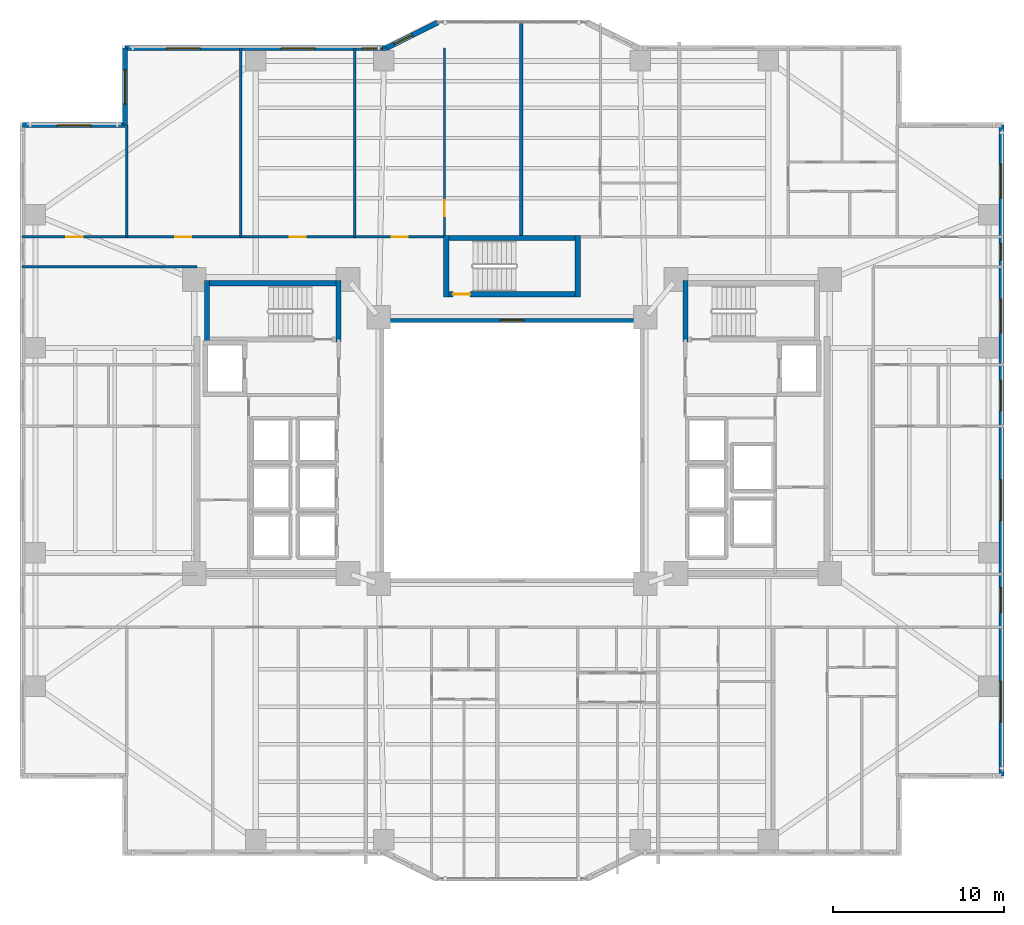
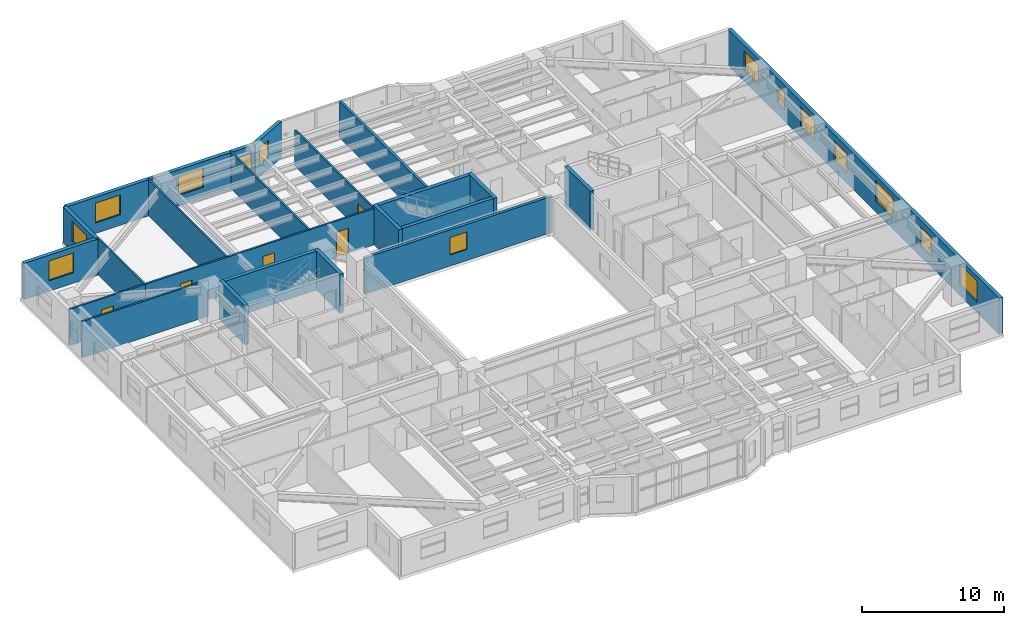
# One storey, part 14 of 21: 22 walls, 14 windows, 6 doors, 20 openings.
"""IFC4 building model written with IfcOpenShell, lengths in metres."""

from ifc_helpers import new_model, si_unit, direction, frame, frame_2d, origin, place, context, subcontext, project, spatial, rectangle, extrude, material, layer, layer_set, type_object, element, fill, save


model = new_model("IFC4")

# Units and contexts
model_context = context("Model", 3, precision=1e-05, world=origin(), true_north=direction((0.0, 1.0)))
body_context = subcontext(model_context, "Body", "Model", "MODEL_VIEW")
ifc_project = project(units=[si_unit("LENGTHUNIT", "METRE"), si_unit("AREAUNIT", "SQUARE_METRE"), si_unit("VOLUMEUNIT", "CUBIC_METRE"), si_unit("PLANEANGLEUNIT", "RADIAN"), si_unit("MASSUNIT", "GRAM", prefix="KILO")], contexts=[model_context])

# Site, building, storey
site_placement = place(None, origin())
site = spatial("IfcSite", under=ifc_project, at=site_placement, CompositionType="ELEMENT")
building_placement = place(site_placement, origin())
building = spatial("IfcBuilding", under=site, at=building_placement, Name="Tarnavaz Court Tower", CompositionType="ELEMENT")
storey_placement = place(building_placement, frame((0.0, 0.0, 44.10009765625)))
storey = spatial("IfcBuildingStorey", under=building, at=storey_placement, Name="L11", CompositionType="ELEMENT", Elevation=44.10009765625)

# Walls
ifc_material_1 = material(Name="Concrete C60/75", Category="concrete")
ifc_layer_1 = layer(ifc_material_1, 0.300048828125)
ifc_layer_set_1 = layer_set([ifc_layer_1], Name="Concrete C60/75")
wall_type_1 = type_object("IfcWallType", Name="WL-CORE-300-C60", PredefinedType="SHEAR", material=ifc_layer_set_1)
wall_1_placement = place(storey_placement, frame((-18.0, 9.7900390625, 0.0), z_axis=(0.0, 0.0, 1.0), x_axis=(1.0, 0.0, 0.0)))
element("IfcWall", 1, at=wall_1_placement, inside=storey, type_object=wall_type_1, Name="L11 West Stair Core Wall 001", PredefinedType="SHEAR", context=body_context, shape_type="SweptSolid", body=[
    extrude(rectangle(XDim=8.0, YDim=0.300048828125, at=frame_2d((4.0, 0.0))), origin(), (0.0, 0.0, 1.0), 3.349853515625),
])
for number, where, z_axis, x_axis, name in (
    (2, (-17.85009765625, 6.35009765625, 0.0), (0.0, 0.0, 1.0), (0.0, 1.0, 0.0), "L11 West Stair Core Wall 003"),
    (3, (-10.14990234375, 6.35009765625, 0.0), (0.0, 0.0, 1.0), (0.0, 1.0, 0.0), "L11 West Stair Core Wall 004"),
    (4, (10.14990234375, 6.35009765625, 0.0), (0.0, 0.0, 1.0), (0.0, 1.0, 0.0), "L11 East Stair Core Wall 007"),
):
    element("IfcWall", number, at=place(storey_placement, frame(where, z_axis=z_axis, x_axis=x_axis)), inside=storey, type_object=wall_type_1, Name=name, PredefinedType="SHEAR", context=body_context, shape_type="SweptSolid", body=[
        extrude(rectangle(XDim=3.58984375, YDim=0.300048828125, at=frame_2d((1.794921875, 0.0))), origin(), (0.0, 0.0, 1.0), 3.349853515625),
    ])
wall_2_placement = place(storey_placement, frame((-4.0, 12.43994140625, 0.0), z_axis=(0.0, 0.0, 1.0), x_axis=(1.0, 0.0, 0.0)))
element("IfcWall", 5, at=wall_2_placement, inside=storey, type_object=wall_type_1, Name="L11 North Stair Core Wall 009", PredefinedType="SHEAR", context=body_context, shape_type="SweptSolid", body=[
    extrude(rectangle(XDim=8.0, YDim=0.300048828125, at=frame_2d((4.0, 0.0))), origin(), (0.0, 0.0, 1.0), 3.349853515625),
])

# Wall, opening, door
wall_3_placement = place(storey_placement, frame((-4.0, 9.14990234375, 0.0), z_axis=(0.0, 0.0, 1.0), x_axis=(1.0, 0.0, 0.0)))
wall_3 = element("IfcWall", 6, at=wall_3_placement, inside=storey, type_object=wall_type_1, Name="L11 North Stair Core Wall 010", PredefinedType="SHEAR", context=body_context, shape_type="SweptSolid", body=[
    extrude(rectangle(XDim=8.0, YDim=0.300048828125, at=frame_2d((4.0, 0.0))), origin(), (0.0, 0.0, 1.0), 3.349853515625),
])
opening_1_placement = place(wall_3_placement, frame((0.550048828125, 0.0, 0.0)))
opening_1 = element("IfcOpeningElement", 7, at=opening_1_placement, cuts=wall_3, Name="Opening D01", PredefinedType="OPENING", context=body_context, shape_type="SweptSolid", body=[
    extrude(rectangle(XDim=1.0, YDim=2.14990234375, at=frame_2d((0.5, 1.074951171875))), frame((0.0, 0.159912109375, 0.0), z_axis=(0.0, -1.0, 0.0), x_axis=(1.0, 0.0, 0.0)), (0.0, 0.0, 1.0), 0.320068359375),
])
ifc_material_2 = material(Name="Fire-Rated Hardwood Timber Core", Category="wood")
door_type_1 = type_object("IfcDoorType", Name="DR-FD90-1000", OperationType="NOTDEFINED", PredefinedType="DOOR", material=ifc_material_2)
door_1_placement = place(opening_1_placement, origin())
door_1 = element("IfcDoor", 8, at=door_1_placement, inside=storey, type_object=door_type_1, Name="L11 Stair ST-N1 Exit Door", OperationType="SINGLE_SWING_LEFT", OverallHeight=2.14990234375, OverallWidth=1.0, PredefinedType="DOOR", context=body_context, shape_type="SweptSolid", body=[
    extrude(rectangle(XDim=1.0, YDim=2.14990234375, at=frame_2d((0.5, 1.074951171875))), frame((0.0, 0.02490234375, 0.0), z_axis=(0.0, -1.0, 0.0), x_axis=(1.0, 0.0, 0.0)), (0.0, 0.0, 1.0), 0.050048828125),
])
fill(opening_1, door_1)

# Walls
for number, where, z_axis, x_axis, name in (
    (9, (-3.85009765625, 9.0, 0.0), (0.0, 0.0, 1.0), (0.0, 1.0, 0.0), "L11 North Stair Core Wall 011"),
    (10, (3.85009765625, 9.0, 0.0), (0.0, 0.0, 1.0), (0.0, 1.0, 0.0), "L11 North Stair Core Wall 012"),
):
    element("IfcWall", number, at=place(storey_placement, frame(where, z_axis=z_axis, x_axis=x_axis)), inside=storey, type_object=wall_type_1, Name=name, PredefinedType="SHEAR", context=body_context, shape_type="SweptSolid", body=[
        extrude(rectangle(XDim=3.590087890625, YDim=0.300048828125, at=frame_2d((1.794921875, 0.0))), origin(), (0.0, 0.0, 1.0), 3.349853515625),
    ])

# Wall, opening, window
ifc_material_3 = material(Name="Precast Concrete C40/50", Category="concrete")
ifc_layer_2 = layer(ifc_material_3, 0.300048828125)
ifc_layer_set_2 = layer_set([ifc_layer_2], Name="Precast Concrete C40/50")
wall_type_2 = type_object("IfcWallType", Name="WL-EXT-300", PredefinedType="SOLIDWALL", material=ifc_layer_set_2)
wall_4_placement = place(storey_placement, frame((-28.64990234375, 19.050048828125, 0.0), z_axis=(0.0, 0.0, 1.0), x_axis=(1.0, 0.0, 0.0)))
wall_4 = element("IfcWall", 11, at=wall_4_placement, inside=storey, type_object=wall_type_2, Name="L11 Exterior Terracotta Facade Wall 03", PredefinedType="SOLIDWALL", context=body_context, shape_type="SweptSolid", body=[
    extrude(rectangle(XDim=6.0, YDim=0.300048828125, at=frame_2d((3.0, 0.0))), origin(), (0.0, 0.0, 1.0), 3.099853515625),
])
opening_2_placement = place(wall_4_placement, frame((2.02490234375, 0.0, 0.89990234375)))
opening_2 = element("IfcOpeningElement", 12, at=opening_2_placement, cuts=wall_4, Name="Opening W08", PredefinedType="OPENING", context=body_context, shape_type="SweptSolid", body=[
    extrude(rectangle(XDim=2.0, YDim=1.699951171875, at=frame_2d((1.0, 0.85009765625))), frame((0.0, 0.159912109375, 0.0), z_axis=(0.0, -1.0, 0.0), x_axis=(1.0, 0.0, 0.0)), (0.0, 0.0, 1.0), 0.320068359375),
])
ifc_material_4 = material(Name="Double-Glazed Solar Low-E Glass", Category="glass")
window_type_1 = type_object("IfcWindowType", Name="WN-APT-2000", PartitioningType="DOUBLE_PANEL_VERTICAL", PredefinedType="WINDOW", material=ifc_material_4)
window_1_placement = place(opening_2_placement, origin())
window_1 = element("IfcWindow", 13, at=window_1_placement, inside=storey, type_object=window_type_1, Name="L11 North-West Corner Sunroom Study Window", OverallHeight=1.699951171875, OverallWidth=2.0, PartitioningType="SINGLE_PANEL", PredefinedType="WINDOW", context=body_context, shape_type="SweptSolid", body=[
    extrude(rectangle(XDim=2.0, YDim=1.699951171875, at=frame_2d((1.0, 0.85009765625))), frame((0.0, 0.030029296875, 0.0), z_axis=(0.0, -1.0, 0.0), x_axis=(1.0, 0.0, 0.0)), (0.0, 0.0, 1.0), 0.06005859375),
])
fill(opening_2, window_1)

wall_5_placement = place(storey_placement, frame((-22.64990234375, 19.050048828125, 0.0), z_axis=(0.0, 0.0, 1.0), x_axis=(0.0, 1.0, 0.0)))
wall_5 = element("IfcWall", 14, at=wall_5_placement, inside=storey, type_object=wall_type_2, Name="L11 Exterior Terracotta Facade Wall 04", PredefinedType="SOLIDWALL", context=body_context, shape_type="SweptSolid", body=[
    extrude(rectangle(XDim=4.5, YDim=0.300048828125, at=frame_2d((2.25, 0.0))), origin(), (0.0, 0.0, 1.0), 3.099853515625),
])
opening_3_placement = place(wall_5_placement, frame((1.232421875, 0.0, 0.89990234375)))
opening_3 = element("IfcOpeningElement", 15, at=opening_3_placement, cuts=wall_5, Name="Opening W08", PredefinedType="OPENING", context=body_context, shape_type="SweptSolid", body=[
    extrude(rectangle(XDim=2.0, YDim=1.699951171875, at=frame_2d((1.0, 0.85009765625))), frame((0.0, 0.159912109375, 0.0), z_axis=(0.0, -1.0, 0.0), x_axis=(1.0, 0.0, 0.0)), (0.0, 0.0, 1.0), 0.320068359375),
])
window_2_placement = place(opening_3_placement, origin())
window_2 = element("IfcWindow", 16, at=window_2_placement, inside=storey, type_object=window_type_1, Name="L11 Resident Fitness and Yoga Studio Window", OverallHeight=1.699951171875, OverallWidth=2.0, PartitioningType="SINGLE_PANEL", PredefinedType="WINDOW", context=body_context, shape_type="SweptSolid", body=[
    extrude(rectangle(XDim=2.0, YDim=1.699951171875, at=frame_2d((1.0, 0.85009765625))), frame((0.0, 0.030029296875, 0.0), z_axis=(0.0, -1.0, 0.0), x_axis=(1.0, 0.0, 0.0)), (0.0, 0.0, 1.0), 0.06005859375),
])
fill(opening_3, window_2)

# Wall, openings, windows
wall_6_placement = place(storey_placement, frame((-22.64990234375, 23.550048828125, 0.0), z_axis=(0.0, 0.0, 1.0), x_axis=(1.0, 0.0, 0.0)))
wall_6 = element("IfcWall", 17, at=wall_6_placement, inside=storey, type_object=wall_type_2, Name="L11 Exterior Terracotta Facade Wall 05", PredefinedType="SOLIDWALL", context=body_context, shape_type="SweptSolid", body=[
    extrude(rectangle(XDim=15.2998046875, YDim=0.300048828125, at=frame_2d((7.64990234375, 0.0))), origin(), (0.0, 0.0, 1.0), 3.099853515625),
])
opening_4_placement = place(wall_6_placement, frame((2.4111328125, 0.0, 0.89990234375)))
opening_4 = element("IfcOpeningElement", 18, at=opening_4_placement, cuts=wall_6, Name="Opening W08", PredefinedType="OPENING", context=body_context, shape_type="SweptSolid", body=[
    extrude(rectangle(XDim=2.0, YDim=1.699951171875, at=frame_2d((1.0, 0.85009765625))), frame((0.0, 0.159912109375, 0.0), z_axis=(0.0, -1.0, 0.0), x_axis=(1.0, 0.0, 0.0)), (0.0, 0.0, 1.0), 0.320068359375),
])
opening_5_placement = place(wall_6_placement, frame((9.133056640625, 0.0, 0.89990234375)))
opening_5 = element("IfcOpeningElement", 19, at=opening_5_placement, cuts=wall_6, Name="Opening W08", PredefinedType="OPENING", context=body_context, shape_type="SweptSolid", body=[
    extrude(rectangle(XDim=2.0, YDim=1.699951171875, at=frame_2d((1.0, 0.85009765625))), frame((0.0, 0.159912109375, 0.0), z_axis=(0.0, -1.0, 0.0), x_axis=(1.0, 0.0, 0.0)), (0.0, 0.0, 1.0), 0.320068359375),
])
opening_6_placement = place(wall_6_placement, frame((13.862060546875, 0.0, 0.949951171875)))
opening_6 = element("IfcOpeningElement", 20, at=opening_6_placement, cuts=wall_6, Name="Opening W05", PredefinedType="OPENING", context=body_context, shape_type="SweptSolid", body=[
    extrude(rectangle(XDim=1.199951171875, YDim=1.5, at=frame_2d((0.60009765625, 0.75))), frame((0.0, 0.159912109375, 0.0), z_axis=(0.0, -1.0, 0.0), x_axis=(1.0, 0.0, 0.0)), (0.0, 0.0, 1.0), 0.320068359375),
])
window_type_2 = type_object("IfcWindowType", Name="WN-APT-1200", PartitioningType="SINGLE_PANEL", PredefinedType="WINDOW", material=ifc_material_4)
window_3_placement = place(opening_6_placement, origin())
window_3 = element("IfcWindow", 21, at=window_3_placement, inside=storey, type_object=window_type_2, Name="L11 Shared Community Tea Pantry Window", OverallHeight=1.5, OverallWidth=1.199951171875, PartitioningType="SINGLE_PANEL", PredefinedType="WINDOW", context=body_context, shape_type="SweptSolid", body=[
    extrude(rectangle(XDim=1.199951171875, YDim=1.5, at=frame_2d((0.60009765625, 0.75))), frame((0.0, 0.030029296875, 0.0), z_axis=(0.0, -1.0, 0.0), x_axis=(1.0, 0.0, 0.0)), (0.0, 0.0, 1.0), 0.06005859375),
])
fill(opening_6, window_3)
window_4_placement = place(opening_4_placement, origin())
window_4 = element("IfcWindow", 22, at=window_4_placement, inside=storey, type_object=window_type_1, Name="L11 Resident Fitness and Yoga Studio Window", OverallHeight=1.699951171875, OverallWidth=2.0, PartitioningType="SINGLE_PANEL", PredefinedType="WINDOW", context=body_context, shape_type="SweptSolid", body=[
    extrude(rectangle(XDim=2.0, YDim=1.699951171875, at=frame_2d((1.0, 0.85009765625))), frame((0.0, 0.030029296875, 0.0), z_axis=(0.0, -1.0, 0.0), x_axis=(1.0, 0.0, 0.0)), (0.0, 0.0, 1.0), 0.06005859375),
])
fill(opening_4, window_4)
window_5_placement = place(opening_5_placement, origin())
window_5 = element("IfcWindow", 23, at=window_5_placement, inside=storey, type_object=window_type_1, Name="L11 Children Playroom and Daycare Window", OverallHeight=1.699951171875, OverallWidth=2.0, PartitioningType="SINGLE_PANEL", PredefinedType="WINDOW", context=body_context, shape_type="SweptSolid", body=[
    extrude(rectangle(XDim=2.0, YDim=1.699951171875, at=frame_2d((1.0, 0.85009765625))), frame((0.0, 0.030029296875, 0.0), z_axis=(0.0, -1.0, 0.0), x_axis=(1.0, 0.0, 0.0)), (0.0, 0.0, 1.0), 0.06005859375),
])
fill(opening_5, window_5)

# Wall, opening, window
wall_7_placement = place(storey_placement, frame((-7.35009765625, 23.550048828125, 0.0), z_axis=(0.0, 0.0, 1.0), x_axis=(0.894427191, 0.4472135955, 0.0)))
wall_7 = element("IfcWall", 24, at=wall_7_placement, inside=storey, type_object=wall_type_2, Name="L11 Exterior Terracotta Facade Wall 06", PredefinedType="SOLIDWALL", context=body_context, shape_type="SweptSolid", body=[
    extrude(rectangle(XDim=3.35400390625, YDim=0.300048828125, at=frame_2d((1.677001953125, 0.0))), origin(), (0.0, 0.0, 1.0), 3.099853515625),
])
opening_7_placement = place(wall_7_placement, frame((0.501220703125, 0.0, 0.949951171875)))
opening_7 = element("IfcOpeningElement", 25, at=opening_7_placement, cuts=wall_7, Name="Opening W05", PredefinedType="OPENING", context=body_context, shape_type="SweptSolid", body=[
    extrude(rectangle(XDim=1.199951171875, YDim=1.5, at=frame_2d((0.60009765625, 0.75))), frame((0.0, 0.159912109375, 0.0), z_axis=(0.0, -1.0, 0.0), x_axis=(1.0, 0.0, 0.0)), (0.0, 0.0, 1.0), 0.320068359375),
])
window_6_placement = place(opening_7_placement, origin())
window_6 = element("IfcWindow", 26, at=window_6_placement, inside=storey, type_object=window_type_2, Name="L11 Shared Community Tea Pantry Window", OverallHeight=1.5, OverallWidth=1.199951171875, PartitioningType="SINGLE_PANEL", PredefinedType="WINDOW", context=body_context, shape_type="SweptSolid", body=[
    extrude(rectangle(XDim=1.199951171875, YDim=1.5, at=frame_2d((0.60009765625, 0.75))), frame((0.0, 0.030029296875, 0.0), z_axis=(0.0, -1.0, 0.0), x_axis=(1.0, 0.0, 0.0)), (0.0, 0.0, 1.0), 0.06005859375),
])
fill(opening_7, window_6)

# Wall, openings, windows
wall_8_placement = place(storey_placement, frame((28.64990234375, 19.050048828125, 0.0), z_axis=(0.0, 0.0, 1.0), x_axis=(0.0, -1.0, 0.0)))
wall_8 = element("IfcWall", 27, at=wall_8_placement, inside=storey, type_object=wall_type_2, Name="L11 Exterior Terracotta Facade Wall 12", PredefinedType="SOLIDWALL", context=body_context, shape_type="SweptSolid", body=[
    extrude(rectangle(XDim=38.10009765625, YDim=0.300048828125, at=frame_2d((19.050048828125, 0.0))), origin(), (0.0, 0.0, 1.0), 3.099853515625),
])
opening_8_placement = place(wall_8_placement, frame((2.27490234375, 0.0, 0.89990234375)))
opening_8 = element("IfcOpeningElement", 28, at=opening_8_placement, cuts=wall_8, Name="Opening W08", PredefinedType="OPENING", context=body_context, shape_type="SweptSolid", body=[
    extrude(rectangle(XDim=2.0, YDim=1.699951171875, at=frame_2d((1.0, 0.85009765625))), frame((0.0, 0.159912109375, 0.0), z_axis=(0.0, -1.0, 0.0), x_axis=(1.0, 0.0, 0.0)), (0.0, 0.0, 1.0), 0.320068359375),
])
opening_9_placement = place(wall_8_placement, frame((6.925048828125, 0.0, 0.949951171875)))
opening_9 = element("IfcOpeningElement", 29, at=opening_9_placement, cuts=wall_8, Name="Opening W14", PredefinedType="OPENING", context=body_context, shape_type="SweptSolid", body=[
    extrude(rectangle(XDim=1.0, YDim=1.5, at=frame_2d((0.5, 0.75))), frame((0.0, 0.159912109375, 0.0), z_axis=(0.0, -1.0, 0.0), x_axis=(1.0, 0.0, 0.0)), (0.0, 0.0, 1.0), 0.320068359375),
])
opening_10_placement = place(wall_8_placement, frame((10.175048828125, 0.0, 0.89990234375)))
opening_10 = element("IfcOpeningElement", 30, at=opening_10_placement, cuts=wall_8, Name="Opening W08", PredefinedType="OPENING", context=body_context, shape_type="SweptSolid", body=[
    extrude(rectangle(XDim=2.0, YDim=1.699951171875, at=frame_2d((1.0, 0.85009765625))), frame((0.0, 0.159912109375, 0.0), z_axis=(0.0, -1.0, 0.0), x_axis=(1.0, 0.0, 0.0)), (0.0, 0.0, 1.0), 0.320068359375),
])
opening_11_placement = place(wall_8_placement, frame((14.925048828125, 0.0, 0.89990234375)))
opening_11 = element("IfcOpeningElement", 31, at=opening_11_placement, cuts=wall_8, Name="Opening W01", PredefinedType="OPENING", context=body_context, shape_type="SweptSolid", body=[
    extrude(rectangle(XDim=1.800048828125, YDim=1.64990234375, at=frame_2d((0.89990234375, 0.824951171875))), frame((0.0, 0.159912109375, 0.0), z_axis=(0.0, -1.0, 0.0), x_axis=(1.0, 0.0, 0.0)), (0.0, 0.0, 1.0), 0.320068359375),
])
opening_12_placement = place(wall_8_placement, frame((20.75, 0.0, 0.89990234375)))
opening_12 = element("IfcOpeningElement", 32, at=opening_12_placement, cuts=wall_8, Name="Opening W06", PredefinedType="OPENING", context=body_context, shape_type="SweptSolid", body=[
    extrude(rectangle(XDim=2.39990234375, YDim=1.800048828125, at=frame_2d((1.199951171875, 0.89990234375))), frame((0.0, 0.159912109375, 0.0), z_axis=(0.0, -1.0, 0.0), x_axis=(1.0, 0.0, 0.0)), (0.0, 0.0, 1.0), 0.320068359375),
])
opening_13_placement = place(wall_8_placement, frame((27.0576171875, 0.0, 0.89990234375)))
opening_13 = element("IfcOpeningElement", 33, at=opening_13_placement, cuts=wall_8, Name="Opening W03", PredefinedType="OPENING", context=body_context, shape_type="SweptSolid", body=[
    extrude(rectangle(XDim=1.5, YDim=1.64990234375, at=frame_2d((0.75, 0.824951171875))), frame((0.0, 0.159912109375, 0.0), z_axis=(0.0, -1.0, 0.0), x_axis=(1.0, 0.0, 0.0)), (0.0, 0.0, 1.0), 0.320068359375),
])
opening_14_placement = place(wall_8_placement, frame((32.550048828125, 0.0, 0.89990234375)))
opening_14 = element("IfcOpeningElement", 34, at=opening_14_placement, cuts=wall_8, Name="Opening W06", PredefinedType="OPENING", context=body_context, shape_type="SweptSolid", body=[
    extrude(rectangle(XDim=2.39990234375, YDim=1.800048828125, at=frame_2d((1.199951171875, 0.89990234375))), frame((0.0, 0.159912109375, 0.0), z_axis=(0.0, -1.0, 0.0), x_axis=(1.0, 0.0, 0.0)), (0.0, 0.0, 1.0), 0.320068359375),
])
window_type_3 = type_object("IfcWindowType", Name="WN-APT-1000", PartitioningType="SINGLE_PANEL", PredefinedType="WINDOW", material=ifc_material_4)
window_7_placement = place(opening_9_placement, origin())
window_7 = element("IfcWindow", 35, at=window_7_placement, inside=storey, type_object=window_type_3, Name="L11 North-East Corner Corridor Window", OverallHeight=1.5, OverallWidth=1.0, PartitioningType="SINGLE_PANEL", PredefinedType="WINDOW", context=body_context, shape_type="SweptSolid", body=[
    extrude(rectangle(XDim=1.0, YDim=1.5, at=frame_2d((0.5, 0.75))), frame((0.0, 0.030029296875, 0.0), z_axis=(0.0, -1.0, 0.0), x_axis=(1.0, 0.0, 0.0)), (0.0, 0.0, 1.0), 0.06005859375),
])
fill(opening_9, window_7)
window_type_4 = type_object("IfcWindowType", Name="WN-APT-1500", PartitioningType="DOUBLE_PANEL_VERTICAL", PredefinedType="WINDOW", material=ifc_material_4)
window_8_placement = place(opening_13_placement, origin())
window_8 = element("IfcWindow", 36, at=window_8_placement, inside=storey, type_object=window_type_4, Name="L11 South-East Corner Corridor Window", OverallHeight=1.64990234375, OverallWidth=1.5, PartitioningType="SINGLE_PANEL", PredefinedType="WINDOW", context=body_context, shape_type="SweptSolid", body=[
    extrude(rectangle(XDim=1.5, YDim=1.64990234375, at=frame_2d((0.75, 0.824951171875))), frame((0.0, 0.030029296875, 0.0), z_axis=(0.0, -1.0, 0.0), x_axis=(1.0, 0.0, 0.0)), (0.0, 0.0, 1.0), 0.06005859375),
])
fill(opening_13, window_8)
window_type_5 = type_object("IfcWindowType", Name="WN-APT-1800", PartitioningType="DOUBLE_PANEL_VERTICAL", PredefinedType="WINDOW", material=ifc_material_4)
window_9_placement = place(opening_11_placement, origin())
window_9 = element("IfcWindow", 37, at=window_9_placement, inside=storey, type_object=window_type_5, Name="L11 Flat 08 Bathroom Window", OverallHeight=1.64990234375, OverallWidth=1.800048828125, PartitioningType="SINGLE_PANEL", PredefinedType="WINDOW", context=body_context, shape_type="SweptSolid", body=[
    extrude(rectangle(XDim=1.800048828125, YDim=1.64990234375, at=frame_2d((0.89990234375, 0.824951171875))), frame((0.0, 0.030029296875, 0.0), z_axis=(0.0, -1.0, 0.0), x_axis=(1.0, 0.0, 0.0)), (0.0, 0.0, 1.0), 0.06005859375),
])
fill(opening_11, window_9)
window_10_placement = place(opening_8_placement, origin())
window_10 = element("IfcWindow", 38, at=window_10_placement, inside=storey, type_object=window_type_1, Name="L11 North-East Corner Sunroom Study Window", OverallHeight=1.699951171875, OverallWidth=2.0, PartitioningType="SINGLE_PANEL", PredefinedType="WINDOW", context=body_context, shape_type="SweptSolid", body=[
    extrude(rectangle(XDim=2.0, YDim=1.699951171875, at=frame_2d((1.0, 0.85009765625))), frame((0.0, 0.030029296875, 0.0), z_axis=(0.0, -1.0, 0.0), x_axis=(1.0, 0.0, 0.0)), (0.0, 0.0, 1.0), 0.06005859375),
])
fill(opening_8, window_10)
window_11_placement = place(opening_10_placement, origin())
window_11 = element("IfcWindow", 39, at=window_11_placement, inside=storey, type_object=window_type_1, Name="L11 Flat 08 Study Room Window", OverallHeight=1.699951171875, OverallWidth=2.0, PartitioningType="SINGLE_PANEL", PredefinedType="WINDOW", context=body_context, shape_type="SweptSolid", body=[
    extrude(rectangle(XDim=2.0, YDim=1.699951171875, at=frame_2d((1.0, 0.85009765625))), frame((0.0, 0.030029296875, 0.0), z_axis=(0.0, -1.0, 0.0), x_axis=(1.0, 0.0, 0.0)), (0.0, 0.0, 1.0), 0.06005859375),
])
fill(opening_10, window_11)
window_type_6 = type_object("IfcWindowType", Name="WN-APT-2400", PartitioningType="TRIPLE_PANEL_VERTICAL", PredefinedType="WINDOW", material=ifc_material_4)
window_12_placement = place(opening_12_placement, origin())
window_12 = element("IfcWindow", 40, at=window_12_placement, inside=storey, type_object=window_type_6, Name="L11 Flat 08 Studio Living and Sleeping Room Window", OverallHeight=1.800048828125, OverallWidth=2.39990234375, PartitioningType="SINGLE_PANEL", PredefinedType="WINDOW", context=body_context, shape_type="SweptSolid", body=[
    extrude(rectangle(XDim=2.39990234375, YDim=1.800048828125, at=frame_2d((1.199951171875, 0.89990234375))), frame((0.0, 0.030029296875, 0.0), z_axis=(0.0, -1.0, 0.0), x_axis=(1.0, 0.0, 0.0)), (0.0, 0.0, 1.0), 0.06005859375),
])
fill(opening_12, window_12)
window_13_placement = place(opening_14_placement, origin())
window_13 = element("IfcWindow", 41, at=window_13_placement, inside=storey, type_object=window_type_6, Name="L11 South-East Corner Reading Room Window", OverallHeight=1.800048828125, OverallWidth=2.39990234375, PartitioningType="SINGLE_PANEL", PredefinedType="WINDOW", context=body_context, shape_type="SweptSolid", body=[
    extrude(rectangle(XDim=2.39990234375, YDim=1.800048828125, at=frame_2d((1.199951171875, 0.89990234375))), frame((0.0, 0.030029296875, 0.0), z_axis=(0.0, -1.0, 0.0), x_axis=(1.0, 0.0, 0.0)), (0.0, 0.0, 1.0), 0.06005859375),
])
fill(opening_14, window_13)

# Wall, openings, doors
ifc_material_5 = material(Name="Gypsum Fire-Board on Acoustic Metal Stud", Category="masonry")
ifc_layer_3 = layer(ifc_material_5, 0.14990234375)
ifc_layer_set_3 = layer_set([ifc_layer_3], Name="Gypsum Fire-Board on Acoustic Metal Stud")
wall_type_3 = type_object("IfcWallType", Name="WL-FIRE-150", PredefinedType="PARTITIONING", material=ifc_layer_set_3)
wall_9_placement = place(storey_placement, frame((-22.550048828125, 12.5, 0.0), z_axis=(0.0, 0.0, 1.0), x_axis=(1.0, 0.0, 0.0)))
wall_9 = element("IfcWall", 42, at=wall_9_placement, inside=storey, type_object=wall_type_3, Name="L11 NW Wing Corridor Wall 081", PredefinedType="PARTITIONING", context=body_context, shape_type="SweptSolid", body=[
    extrude(rectangle(XDim=18.699951171875, YDim=0.14990234375, at=frame_2d((9.35009765625, 0.0))), origin(), (0.0, 0.0, 1.0), 3.099853515625),
])
opening_15_placement = place(wall_9_placement, frame((2.83203125, 0.0, 0.0)))
opening_15 = element("IfcOpeningElement", 43, at=opening_15_placement, cuts=wall_9, Name="Opening D13", PredefinedType="OPENING", context=body_context, shape_type="SweptSolid", body=[
    extrude(rectangle(XDim=0.949951171875, YDim=2.14990234375, at=frame_2d((0.47509765625, 1.074951171875))), frame((0.0, 0.0849609375, 0.0), z_axis=(0.0, -1.0, 0.0), x_axis=(1.0, 0.0, 0.0)), (0.0, 0.0, 1.0), 0.169921875),
])
opening_16_placement = place(wall_9_placement, frame((9.537109375, 0.0, 0.0)))
opening_16 = element("IfcOpeningElement", 44, at=opening_16_placement, cuts=wall_9, Name="Opening D13", PredefinedType="OPENING", context=body_context, shape_type="SweptSolid", body=[
    extrude(rectangle(XDim=0.949951171875, YDim=2.14990234375, at=frame_2d((0.47509765625, 1.074951171875))), frame((0.0, 0.0849609375, 0.0), z_axis=(0.0, -1.0, 0.0), x_axis=(1.0, 0.0, 0.0)), (0.0, 0.0, 1.0), 0.169921875),
])
opening_17_placement = place(wall_9_placement, frame((15.5, 0.0, 0.0)))
opening_17 = element("IfcOpeningElement", 45, at=opening_17_placement, cuts=wall_9, Name="Opening D13", PredefinedType="OPENING", context=body_context, shape_type="SweptSolid", body=[
    extrude(rectangle(XDim=0.949951171875, YDim=2.14990234375, at=frame_2d((0.47509765625, 1.074951171875))), frame((0.0, 0.0849609375, 0.0), z_axis=(0.0, -1.0, 0.0), x_axis=(1.0, 0.0, 0.0)), (0.0, 0.0, 1.0), 0.169921875),
])
ifc_material_6 = material(Name="Engineered Oak Timber", Category="wood")
door_type_2 = type_object("IfcDoorType", Name="DR-INT-950", OperationType="NOTDEFINED", PredefinedType="DOOR", material=ifc_material_6)
door_2_placement = place(opening_15_placement, origin())
door_2 = element("IfcDoor", 46, at=door_2_placement, inside=storey, type_object=door_type_2, Name="L11 Resident Fitness and Yoga Studio Door", OperationType="SINGLE_SWING_LEFT", OverallHeight=2.14990234375, OverallWidth=0.949951171875, PredefinedType="DOOR", context=body_context, shape_type="SweptSolid", body=[
    extrude(rectangle(XDim=0.949951171875, YDim=2.14990234375, at=frame_2d((0.47509765625, 1.074951171875))), frame((0.0, 0.02490234375, 0.0), z_axis=(0.0, -1.0, 0.0), x_axis=(1.0, 0.0, 0.0)), (0.0, 0.0, 1.0), 0.050048828125),
])
fill(opening_15, door_2)
door_3_placement = place(opening_16_placement, origin())
door_3 = element("IfcDoor", 47, at=door_3_placement, inside=storey, type_object=door_type_2, Name="L11 Children Playroom and Daycare Door", OperationType="SINGLE_SWING_RIGHT", OverallHeight=2.14990234375, OverallWidth=0.949951171875, PredefinedType="DOOR", context=body_context, shape_type="SweptSolid", body=[
    extrude(rectangle(XDim=0.949951171875, YDim=2.14990234375, at=frame_2d((0.47509765625, 1.074951171875))), frame((0.0, 0.02490234375, 0.0), z_axis=(0.0, -1.0, 0.0), x_axis=(1.0, 0.0, 0.0)), (0.0, 0.0, 1.0), 0.050048828125),
])
fill(opening_16, door_3)
door_4_placement = place(opening_17_placement, origin())
door_4 = element("IfcDoor", 48, at=door_4_placement, inside=storey, type_object=door_type_2, Name="L11 Shared Community Tea Pantry Door", OperationType="SINGLE_SWING_LEFT", OverallHeight=2.14990234375, OverallWidth=0.949951171875, PredefinedType="DOOR", context=body_context, shape_type="SweptSolid", body=[
    extrude(rectangle(XDim=0.949951171875, YDim=2.14990234375, at=frame_2d((0.47509765625, 1.074951171875))), frame((0.0, 0.02490234375, 0.0), z_axis=(0.0, -1.0, 0.0), x_axis=(1.0, 0.0, 0.0)), (0.0, 0.0, 1.0), 0.050048828125),
])
fill(opening_17, door_4)

# Wall
wall_10_placement = place(storey_placement, frame((-28.679931640625, 10.75, 0.0), z_axis=(0.0, 0.0, 1.0), x_axis=(1.0, 0.0, 0.0)))
element("IfcWall", 49, at=wall_10_placement, inside=storey, type_object=wall_type_3, Name="L11 Interior Partition 129", PredefinedType="PARTITIONING", context=body_context, shape_type="SweptSolid", body=[
    extrude(rectangle(XDim=10.22998046875, YDim=0.14990234375, at=frame_2d((5.114990234375, 0.0))), origin(), (0.0, 0.0, 1.0), 3.099853515625),
])

# Wall, opening, door
wall_11_placement = place(storey_placement, frame((-28.679931640625, 12.5, 0.0), z_axis=(0.0, 0.0, 1.0), x_axis=(1.0, 0.0, 0.0)))
wall_11 = element("IfcWall", 50, at=wall_11_placement, inside=storey, type_object=wall_type_3, Name="L11 Interior Partition 136", PredefinedType="PARTITIONING", context=body_context, shape_type="SweptSolid", body=[
    extrude(rectangle(XDim=6.1298828125, YDim=0.14990234375, at=frame_2d((3.06494140625, 0.0))), origin(), (0.0, 0.0, 1.0), 3.099853515625),
])
opening_18_placement = place(wall_11_placement, frame((2.590087890625, 0.0, 0.0)))
opening_18 = element("IfcOpeningElement", 51, at=opening_18_placement, cuts=wall_11, Name="Opening D13", PredefinedType="OPENING", context=body_context, shape_type="SweptSolid", body=[
    extrude(rectangle(XDim=0.949951171875, YDim=2.14990234375, at=frame_2d((0.47509765625, 1.074951171875))), frame((0.0, 0.0849609375, 0.0), z_axis=(0.0, -1.0, 0.0), x_axis=(1.0, 0.0, 0.0)), (0.0, 0.0, 1.0), 0.169921875),
])
door_5_placement = place(opening_18_placement, origin())
door_5 = element("IfcDoor", 52, at=door_5_placement, inside=storey, type_object=door_type_2, Name="L11 NW Sunroom Door", OperationType="SINGLE_SWING_RIGHT", OverallHeight=2.14990234375, OverallWidth=0.949951171875, PredefinedType="DOOR", context=body_context, shape_type="SweptSolid", body=[
    extrude(rectangle(XDim=0.949951171875, YDim=2.14990234375, at=frame_2d((0.47509765625, 1.074951171875))), frame((0.0, 0.02490234375, 0.0), z_axis=(0.0, -1.0, 0.0), x_axis=(1.0, 0.0, 0.0)), (0.0, 0.0, 1.0), 0.050048828125),
])
fill(opening_18, door_5)

# Wall
ifc_material_7 = material(Name="Autoclaved Aerated Concrete Blockwork", Category="masonry")
ifc_layer_4 = layer(ifc_material_7, 0.199951171875)
ifc_layer_set_4 = layer_set([ifc_layer_4], Name="Autoclaved Aerated Concrete Blockwork")
wall_type_4 = type_object("IfcWallType", Name="WL-FIRE-200", PredefinedType="SOLIDWALL", material=ifc_layer_set_4)
wall_12_placement = place(storey_placement, frame((0.550048828125, 12.5, 0.0), z_axis=(0.0, 0.0, 1.0), x_axis=(0.0, 1.0, 0.0)))
element("IfcWall", 53, at=wall_12_placement, inside=storey, type_object=wall_type_4, Name="L11 North Center Party Wall 087", PredefinedType="SOLIDWALL", context=body_context, shape_type="SweptSolid", body=[
    extrude(rectangle(XDim=12.580078125, YDim=0.199951171875, at=frame_2d((6.2900390625, 0.0))), origin(), (0.0, 0.0, 1.0), 3.099853515625),
])

# Wall, opening, door
ifc_material_8 = material(Name="Gypsum Plasterboard Acoustic Partition", Category="masonry")
ifc_layer_5 = layer(ifc_material_8, 0.139892578125)
ifc_layer_set_5 = layer_set([ifc_layer_5], Name="Gypsum Plasterboard Acoustic Partition")
wall_type_5 = type_object("IfcWallType", Name="WL-PART-150", PredefinedType="PARTITIONING", material=ifc_layer_set_5)
wall_13_placement = place(storey_placement, frame((-3.949951171875, 12.5, 0.0), z_axis=(0.0, 0.0, 1.0), x_axis=(0.0, 1.0, 0.0)))
wall_13 = element("IfcWall", 54, at=wall_13_placement, inside=storey, type_object=wall_type_5, Name="L11 Interior Partition 088", PredefinedType="PARTITIONING", context=body_context, shape_type="SweptSolid", body=[
    extrude(rectangle(XDim=11.050048828125, YDim=0.139892578125, at=frame_2d((5.52490234375, 0.0))), origin(), (0.0, 0.0, 1.0), 3.099853515625),
])
opening_19_placement = place(wall_13_placement, frame((1.199951171875, 0.0, 0.0)))
opening_19 = element("IfcOpeningElement", 55, at=opening_19_placement, cuts=wall_13, Name="Opening D13", PredefinedType="OPENING", context=body_context, shape_type="SweptSolid", body=[
    extrude(rectangle(XDim=0.949951171875, YDim=2.14990234375, at=frame_2d((0.47509765625, 1.074951171875))), frame((0.0, 0.079833984375, 0.0), z_axis=(0.0, -1.0, 0.0), x_axis=(1.0, 0.0, 0.0)), (0.0, 0.0, 1.0), 0.159912109375),
])
door_6_placement = place(opening_19_placement, origin())
door_6 = element("IfcDoor", 56, at=door_6_placement, inside=storey, type_object=door_type_2, Name="L11 NW Iwan Study Door", OperationType="SINGLE_SWING_RIGHT", OverallHeight=2.14990234375, OverallWidth=0.949951171875, PredefinedType="DOOR", context=body_context, shape_type="SweptSolid", body=[
    extrude(rectangle(XDim=0.949951171875, YDim=2.14990234375, at=frame_2d((0.47509765625, 1.074951171875))), frame((0.0, 0.02490234375, 0.0), z_axis=(0.0, -1.0, 0.0), x_axis=(1.0, 0.0, 0.0)), (0.0, 0.0, 1.0), 0.050048828125),
])
fill(opening_19, door_6)

# Walls
for number, where, z_axis, x_axis, name in (
    (57, (-15.8759765625, 12.5, 0.0), (0.0, 0.0, 1.0), (0.0, 1.0, 0.0), "L11 Interior Partition 089"),
    (58, (-9.200927734375, 12.5, 0.0), (0.0, 0.0, 1.0), (0.0, 1.0, 0.0), "L11 Interior Partition 090"),
):
    element("IfcWall", number, at=place(storey_placement, frame(where, z_axis=z_axis, x_axis=x_axis)), inside=storey, type_object=wall_type_5, Name=name, PredefinedType="PARTITIONING", context=body_context, shape_type="SweptSolid", body=[
        extrude(rectangle(XDim=11.050048828125, YDim=0.139892578125, at=frame_2d((5.52490234375, 0.0))), origin(), (0.0, 0.0, 1.0), 3.099853515625),
    ])
wall_14_placement = place(storey_placement, frame((-22.550048828125, 12.5, 0.0), z_axis=(0.0, 0.0, 1.0), x_axis=(0.0, 1.0, 0.0)))
element("IfcWall", 59, at=wall_14_placement, inside=storey, type_object=wall_type_5, Name="L11 Interior Partition 134", PredefinedType="PARTITIONING", context=body_context, shape_type="SweptSolid", body=[
    extrude(rectangle(XDim=6.550048828125, YDim=0.139892578125, at=frame_2d((3.27490234375, 0.0))), origin(), (0.0, 0.0, 1.0), 3.099853515625),
])

# Wall, opening, window
ifc_layer_6 = layer(ifc_material_3, 0.239990234375)
ifc_layer_set_6 = layer_set([ifc_layer_6], Name="Precast Concrete C40/50")
wall_type_6 = type_object("IfcWallType", Name="WL-WELL-240", PredefinedType="SOLIDWALL", material=ifc_layer_set_6)
wall_15_placement = place(storey_placement, frame((7.6201171875, 7.6201171875, 0.0), z_axis=(0.0, 0.0, 1.0), x_axis=(-1.0, 0.0, 0.0)))
wall_15 = element("IfcWall", 60, at=wall_15_placement, inside=storey, type_object=wall_type_6, Name="L11 Badgir Light-Well Exterior Wall N", PredefinedType="SOLIDWALL", context=body_context, shape_type="SweptSolid", body=[
    extrude(rectangle(XDim=15.240234375, YDim=0.239990234375, at=frame_2d((7.6201171875, 0.0))), origin(), (0.0, 0.0, 1.0), 3.099853515625),
])
opening_20_placement = place(wall_15_placement, frame((6.919921875, 0.0, 0.949951171875)))
opening_20 = element("IfcOpeningElement", 61, at=opening_20_placement, cuts=wall_15, Name="Opening W13", PredefinedType="OPENING", context=body_context, shape_type="SweptSolid", body=[
    extrude(rectangle(XDim=1.39990234375, YDim=1.5, at=frame_2d((0.699951171875, 0.75))), frame((0.0, 0.1298828125, 0.0), z_axis=(0.0, -1.0, 0.0), x_axis=(1.0, 0.0, 0.0)), (0.0, 0.0, 1.0), 0.260009765625),
])
window_type_7 = type_object("IfcWindowType", Name="WN-WEL-1400", PartitioningType="SINGLE_PANEL", PredefinedType="WINDOW", material=ifc_material_4)
window_14_placement = place(opening_20_placement, origin())
window_14 = element("IfcWindow", 62, at=window_14_placement, inside=storey, type_object=window_type_7, Name="L11 Courtyard Gallery Window N", OverallHeight=1.5, OverallWidth=1.39990234375, PartitioningType="SINGLE_PANEL", PredefinedType="WINDOW", context=body_context, shape_type="SweptSolid", body=[
    extrude(rectangle(XDim=1.39990234375, YDim=1.5, at=frame_2d((0.699951171875, 0.75))), frame((0.0, 0.030029296875, 0.0), z_axis=(0.0, -1.0, 0.0), x_axis=(1.0, 0.0, 0.0)), (0.0, 0.0, 1.0), 0.06005859375),
])
fill(opening_20, window_14)

save(model, "model.ifc")
